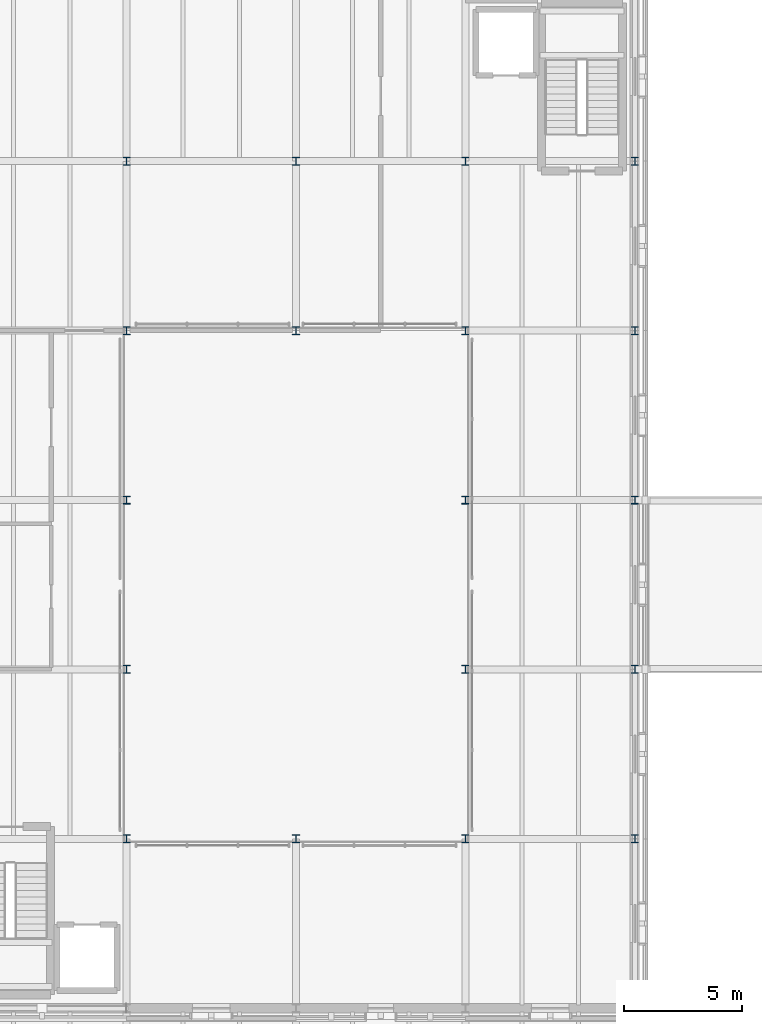
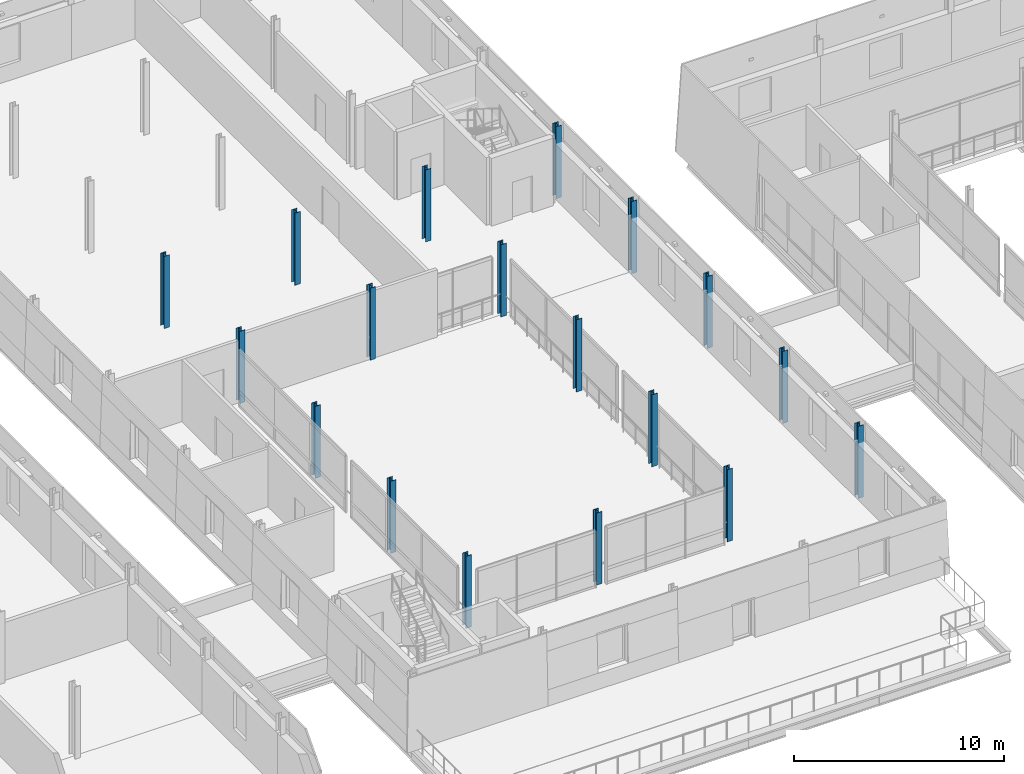
# One storey, part 6 of 91: 18 columns.
"""IFC4 building model written with IfcOpenShell, lengths in metres."""

from ifc_helpers import new_model, si_unit, direction, frame, origin, origin_2d, place, context, subcontext, project, spatial, i_section, extrude, material, material_profile, profile_set, type_object, element, save


model = new_model("IFC4")

# Units and contexts
model_context = context("Model", 3, precision=1e-05, world=origin(), true_north=direction((0.0, 1.0)))
body_context = subcontext(model_context, "Body", "Model", "MODEL_VIEW")
ifc_project = project(units=[si_unit("LENGTHUNIT", "METRE"), si_unit("AREAUNIT", "SQUARE_METRE"), si_unit("VOLUMEUNIT", "CUBIC_METRE"), si_unit("PLANEANGLEUNIT", "RADIAN"), si_unit("MASSUNIT", "GRAM", prefix="KILO")], contexts=[model_context])

# Site, building, storey
site_placement = place(None, origin())
site = spatial("IfcSite", under=ifc_project, at=site_placement, CompositionType="ELEMENT")
building_placement = place(site_placement, origin())
building = spatial("IfcBuilding", under=site, at=building_placement, Name="Narikvali Park Central Library", CompositionType="ELEMENT")
storey_placement = place(building_placement, frame((0.0, 0.0, 14.39990234375)))
storey = spatial("IfcBuildingStorey", under=building, at=storey_placement, Name="L03", CompositionType="ELEMENT", Elevation=14.39990234375)

# Columns
ifc_material = material(Name="Steel S355", Category="steel")
ifc_material_profile = material_profile(ifc_material, i_section(OverallWidth=0.300048828125, OverallDepth=0.340087890625, WebThickness=0.011962890625, FlangeThickness=0.021484375, FilletRadius=0.027099609375, at=origin_2d()), Name="HEB 340")
ifc_profile_set = profile_set([ifc_material_profile], Name="Steel S355")
column_type = type_object("IfcColumnType", Name="Steel Column HEB340", PredefinedType="COLUMN", material=ifc_profile_set)
for number, where, z_axis, x_axis, name in (
    (1, (36.0, 64.800048828125, 0.0), (0.0, 0.0, 1.0), (1.0, 0.0, 0.0), "V4 L03 Column (36.0,64.8)"),
    (2, (36.0, 72.0, 0.0), (0.0, 0.0, 1.0), (1.0, 0.0, 0.0), "V4 L03 Column (36.0,72.0)"),
    (3, (36.0, 79.199951171875, 0.0), (0.0, 0.0, 1.0), (1.0, 0.0, 0.0), "V4 L03 Column (36.0,79.2)"),
    (4, (36.0, 86.39990234375, 0.0), (0.0, 0.0, 1.0), (1.0, 0.0, 0.0), "V4 L03 Column (36.0,86.4)"),
    (5, (36.0, 93.60009765625, 0.0), (0.0, 0.0, 1.0), (1.0, 0.0, 0.0), "V4 L03 Column (36.0,93.6)"),
    (6, (43.199951171875, 64.800048828125, 0.0), (0.0, 0.0, 1.0), (1.0, 0.0, 0.0), "V4 L03 Column (43.2,64.8)"),
    (7, (43.199951171875, 86.39990234375, 0.0), (0.0, 0.0, 1.0), (1.0, 0.0, 0.0), "V4 L03 Column (43.2,86.4)"),
    (8, (43.199951171875, 93.60009765625, 0.0), (0.0, 0.0, 1.0), (1.0, 0.0, 0.0), "V4 L03 Column (43.2,93.6)"),
    (9, (50.39990234375, 64.800048828125, 0.0), (0.0, 0.0, 1.0), (1.0, 0.0, 0.0), "V4 L03 Column (50.4,64.8)"),
    (10, (50.39990234375, 72.0, 0.0), (0.0, 0.0, 1.0), (1.0, 0.0, 0.0), "V4 L03 Column (50.4,72.0)"),
    (11, (50.39990234375, 79.199951171875, 0.0), (0.0, 0.0, 1.0), (1.0, 0.0, 0.0), "V4 L03 Column (50.4,79.2)"),
    (12, (50.39990234375, 86.39990234375, 0.0), (0.0, 0.0, 1.0), (1.0, 0.0, 0.0), "V4 L03 Column (50.4,86.4)"),
    (13, (50.39990234375, 93.60009765625, 0.0), (0.0, 0.0, 1.0), (1.0, 0.0, 0.0), "V4 L03 Column (50.4,93.6)"),
    (14, (57.60009765625, 64.800048828125, 0.0), (0.0, 0.0, 1.0), (1.0, 0.0, 0.0), "V4 L03 Column (57.6,64.8)"),
    (15, (57.60009765625, 72.0, 0.0), (0.0, 0.0, 1.0), (1.0, 0.0, 0.0), "V4 L03 Column (57.6,72.0)"),
    (16, (57.60009765625, 79.199951171875, 0.0), (0.0, 0.0, 1.0), (1.0, 0.0, 0.0), "V4 L03 Column (57.6,79.2)"),
    (17, (57.60009765625, 86.39990234375, 0.0), (0.0, 0.0, 1.0), (1.0, 0.0, 0.0), "V4 L03 Column (57.6,86.4)"),
    (18, (57.60009765625, 93.60009765625, 0.0), (0.0, 0.0, 1.0), (1.0, 0.0, 0.0), "V4 L03 Column (57.6,93.6)"),
):
    element("IfcColumn", number, at=place(storey_placement, frame(where, z_axis=z_axis, x_axis=x_axis)), inside=storey, type_object=column_type, Name=name, PredefinedType="COLUMN", context=body_context, shape_type="SweptSolid", body=[
        extrude(i_section(OverallWidth=0.300048828125, OverallDepth=0.340087890625, WebThickness=0.011962890625, FlangeThickness=0.021484375, FilletRadius=0.027099609375, at=origin_2d()), origin(), (0.0, 0.0, 1.0), 4.2001953125),
    ])

save(model, "model.ifc")
